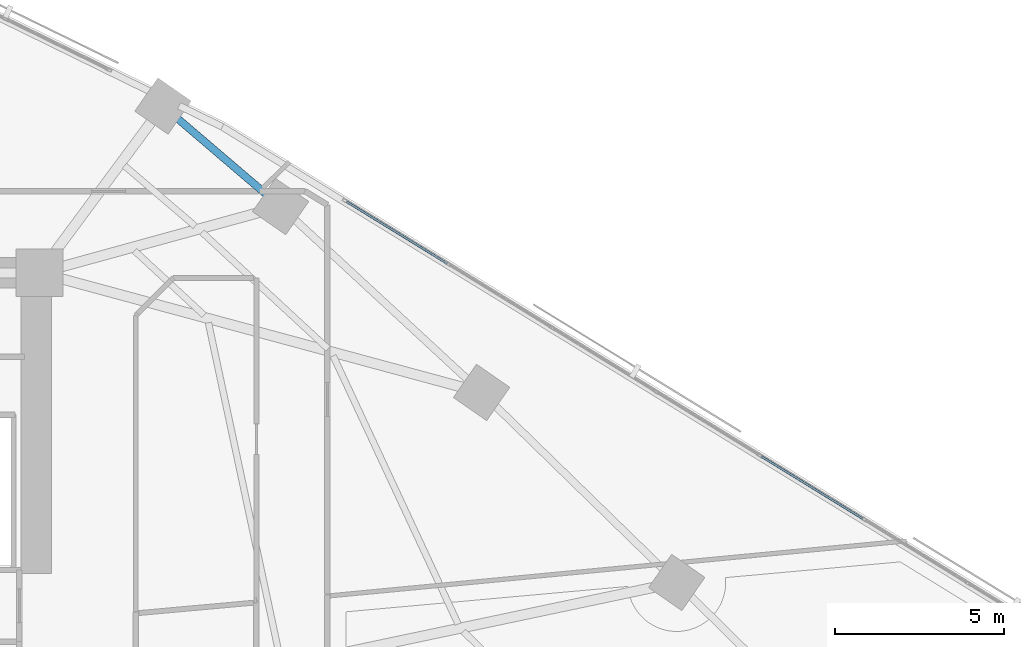
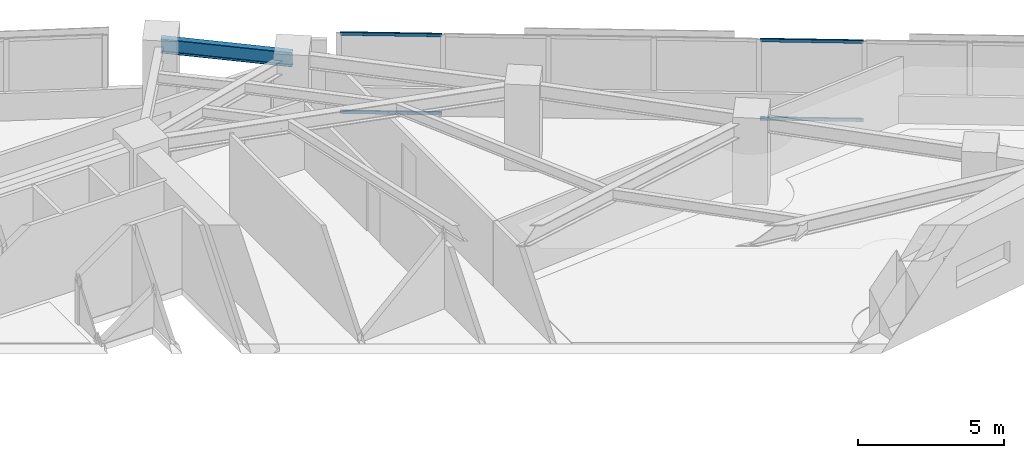
# One storey, part 7 of 18: 4 members, 1 beam, 1 element without a shape of its own.
"""IFC4 building model written with IfcOpenShell, lengths in metres."""

from ifc_helpers import new_model, si_unit, direction, frame, origin, origin_2d, place, context, subcontext, project, spatial, hollow_rectangle, i_section, extrude, material, material_profile, profile_set, type_object, element, aggregate, save


model = new_model("IFC4")

# Units and contexts
model_context = context("Model", 3, precision=1e-05, world=origin(), true_north=direction((0.0, 1.0)))
body_context = subcontext(model_context, "Body", "Model", "MODEL_VIEW")
ifc_project = project(units=[si_unit("LENGTHUNIT", "METRE"), si_unit("AREAUNIT", "SQUARE_METRE"), si_unit("VOLUMEUNIT", "CUBIC_METRE"), si_unit("PLANEANGLEUNIT", "RADIAN"), si_unit("MASSUNIT", "GRAM", prefix="KILO")], contexts=[model_context])

# Site, building, storey
site_placement = place(None, origin())
site = spatial("IfcSite", under=ifc_project, at=site_placement, CompositionType="ELEMENT")
building_placement = place(site_placement, origin())
building = spatial("IfcBuilding", under=site, at=building_placement, Name="Narakoshi Arena Tower", CompositionType="ELEMENT")
storey_placement = place(building_placement, frame((0.0, 0.0, 102.89990234375)))
storey = spatial("IfcBuildingStorey", under=building, at=storey_placement, Name="L27", CompositionType="ELEMENT", Elevation=102.89990234375)

# Beam
ifc_material_1 = material(Name="Structural steel S355J2", Category="steel")
ifc_material_profile_1 = material_profile(ifc_material_1, i_section(OverallWidth=0.219970703125, OverallDepth=0.60009765625, WebThickness=0.011962890625, FlangeThickness=0.01904296875, FilletRadius=0.02392578125, at=origin_2d()), Name="IPE600")
ifc_profile_set_1 = profile_set([ifc_material_profile_1], Name="Structural steel S355J2")
beam_type = type_object("IfcBeamType", Name="BM-EDGE-600", PredefinedType="BEAM", material=ifc_profile_set_1)
beam_placement = place(storey_placement, frame((92.68994140625, 58.462890625, 3.0400390625), z_axis=(-0.760410417533, 0.64944283575, 0.0), x_axis=(-0.64944283575, -0.760410417533, 0.0)))
element("IfcBeam", 1, at=beam_placement, inside=storey, type_object=beam_type, Name="L27 Perimeter Edge Girder 07", PredefinedType="BEAM", context=body_context, shape_type="SweptSolid", body=[
    extrude(i_section(OverallWidth=0.219970703125, OverallDepth=0.60009765625, WebThickness=0.011962890625, FlangeThickness=0.01904296875, FilletRadius=0.02392578125, at=origin_2d()), origin(), (0.0, 0.0, 1.0), 4.58056640625),
])

# Curtain wall, members
ifc_material_2 = material(Name="Anodised bronze aluminium 6063-T6", Category="aluminium")
curtain_wall_type = type_object("IfcCurtainWallType", Name="CW-HYP-LOW", PredefinedType="NOTDEFINED", material=ifc_material_2)
curtain_wall_placement = place(storey_placement, origin())
curtain_wall = element("IfcCurtainWall", 2, at=curtain_wall_placement, inside=storey, type_object=curtain_wall_type, Name="L27 Folded Hypotenuse Curtain Wall 1-1", PredefinedType="NOTDEFINED")
ifc_material_profile_2 = material_profile(ifc_material_2, hollow_rectangle(XDim=0.06494140625, YDim=0.1298828125, WallThickness=0.00390625, OuterFilletRadius=0.0048828125, at=origin_2d()), Name="TRN130x65x4")
ifc_profile_set_2 = profile_set([ifc_material_profile_2], Name="Anodised bronze aluminium 6063-T6")
member_type = type_object("IfcMemberType", Name="MEM-TRN-130", PredefinedType="USERDEFINED", material=ifc_profile_set_2)
member_1_placement = place(storey_placement, frame((109.931884765625, 49.218017578125, 0.03271484375), z_axis=(-0.852103699909, 0.523372988032, 0.0), x_axis=(-0.523372988032, -0.852103699909, 0.0)))
member_1 = element("IfcMember", 3, at=member_1_placement, type_object=member_type, Name="CW-01 transom 4.1", ObjectType="TRANSOM", PredefinedType="USERDEFINED", context=body_context, shape_type="SweptSolid", body=[
    extrude(hollow_rectangle(XDim=0.06494140625, YDim=0.1298828125, WallThickness=0.00390625, OuterFilletRadius=0.0048828125, at=origin_2d()), origin(), (0.0, 0.0, 1.0), 3.535888671875),
])
member_2_placement = place(storey_placement, frame((109.931884765625, 49.218017578125, 3.3076171875), z_axis=(-0.852103699909, 0.523372988032, 0.0), x_axis=(-0.523372988032, -0.852103699909, 0.0)))
member_2 = element("IfcMember", 4, at=member_2_placement, type_object=member_type, Name="CW-01 transom 4.2", ObjectType="TRANSOM", PredefinedType="USERDEFINED", context=body_context, shape_type="SweptSolid", body=[
    extrude(hollow_rectangle(XDim=0.06494140625, YDim=0.1298828125, WallThickness=0.00390625, OuterFilletRadius=0.0048828125, at=origin_2d()), origin(), (0.0, 0.0, 1.0), 3.535888671875),
])
member_3_placement = place(storey_placement, frame((97.624267578125, 56.777099609375, 0.03271484375), z_axis=(-0.852089324923, 0.52339639123, 0.0), x_axis=(-0.52339639123, -0.852089324923, 0.0)))
member_3 = element("IfcMember", 5, at=member_3_placement, type_object=member_type, Name="CW-01 transom 8.1", ObjectType="TRANSOM", PredefinedType="USERDEFINED", context=body_context, shape_type="SweptSolid", body=[
    extrude(hollow_rectangle(XDim=0.06494140625, YDim=0.1298828125, WallThickness=0.00390625, OuterFilletRadius=0.0048828125, at=origin_2d()), origin(), (0.0, 0.0, 1.0), 3.498291015625),
])
member_4_placement = place(storey_placement, frame((97.624267578125, 56.777099609375, 3.3076171875), z_axis=(-0.852089324923, 0.52339639123, 0.0), x_axis=(-0.52339639123, -0.852089324923, 0.0)))
member_4 = element("IfcMember", 6, at=member_4_placement, type_object=member_type, Name="CW-01 transom 8.2", ObjectType="TRANSOM", PredefinedType="USERDEFINED", context=body_context, shape_type="SweptSolid", body=[
    extrude(hollow_rectangle(XDim=0.06494140625, YDim=0.1298828125, WallThickness=0.00390625, OuterFilletRadius=0.0048828125, at=origin_2d()), origin(), (0.0, 0.0, 1.0), 3.498291015625),
])
aggregate(curtain_wall, [member_1, member_2, member_3, member_4])

save(model, "model.ifc")
